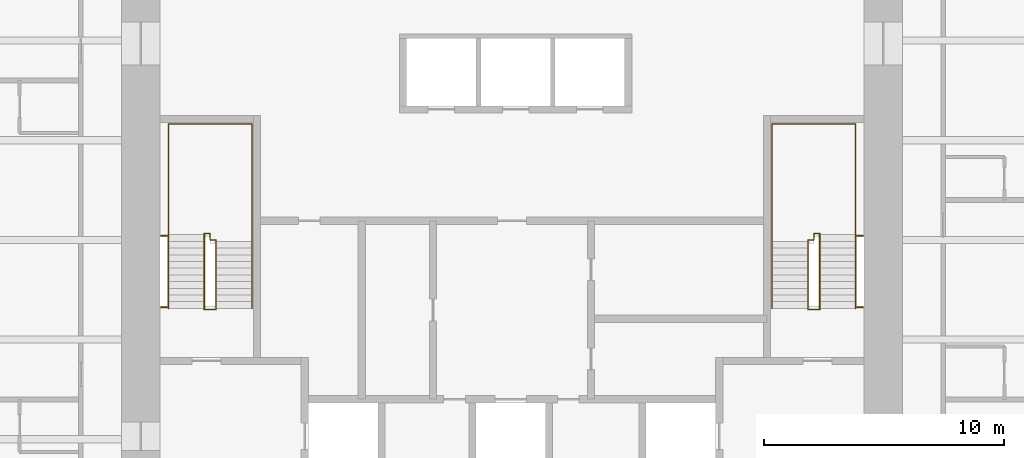
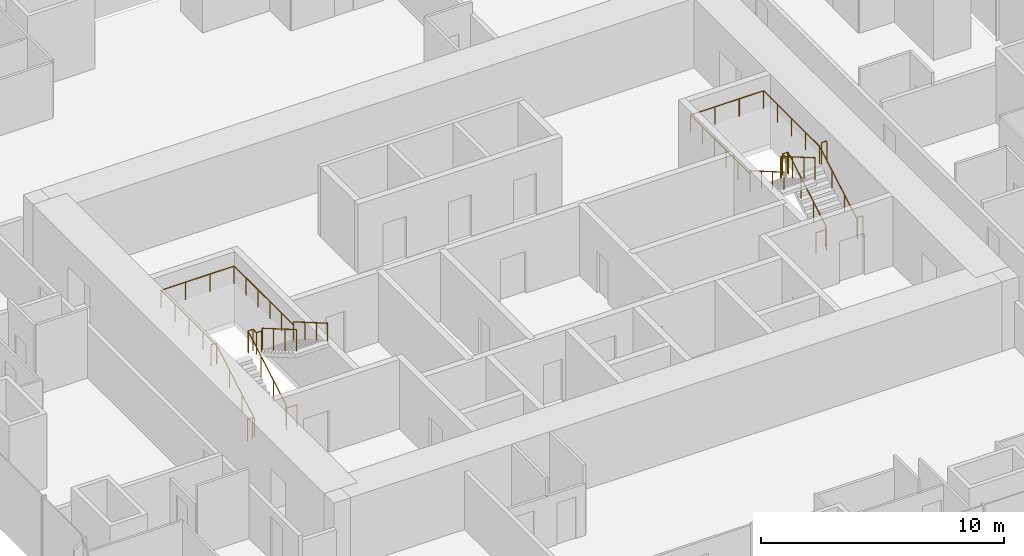
# One storey, part 12 of 12: 8 railings.
"""IFC4 building model written with IfcOpenShell, lengths in metres."""

from ifc_helpers import new_model, si_unit, direction, frame, origin, origin_2d, place, context, subcontext, project, spatial, circle, extrude, material, type_object, element, save


model = new_model("IFC4")

# Units and contexts
model_context = context("Model", 3, precision=1e-05, world=origin(), true_north=direction((0.0, 1.0)))
body_context = subcontext(model_context, "Body", "Model", "MODEL_VIEW")
ifc_project = project(units=[si_unit("LENGTHUNIT", "METRE"), si_unit("AREAUNIT", "SQUARE_METRE"), si_unit("VOLUMEUNIT", "CUBIC_METRE"), si_unit("PLANEANGLEUNIT", "RADIAN"), si_unit("MASSUNIT", "GRAM", prefix="KILO")], contexts=[model_context])

# Site, building, storey
site_placement = place(None, origin())
site = spatial("IfcSite", under=ifc_project, at=site_placement, CompositionType="ELEMENT")
building_placement = place(site_placement, origin())
building = spatial("IfcBuilding", under=site, at=building_placement, Name="Khuree Lantern Residences", CompositionType="ELEMENT")
storey_placement = place(building_placement, frame((0.0, 0.0, 207.0)))
storey = spatial("IfcBuildingStorey", under=building, at=storey_placement, Name="L51", CompositionType="ELEMENT", Elevation=207.0)

# Railings
ifc_material = material(Name="Steel S355", Category="steel")
railing_type_1 = type_object("IfcRailingType", Name="STAIR GUARD G1 1100", PredefinedType="GUARDRAIL", material=ifc_material)
railing_1_placement = place(storey_placement, frame((-12.35009765625, -2.909912109375, 0.0)))
element("IfcRailing", 1, at=railing_1_placement, inside=storey, type_object=railing_type_1, Name="Stair ST1 guard", PredefinedType="GUARDRAIL", context=body_context, shape_type="SweptSolid", body=[
    extrude(circle(Radius=0.02392578125, at=origin_2d()), frame((0.0, 0.0, 1.076171875), z_axis=(-1.0, 0.0, 0.0), x_axis=(0.0, -1.0, 0.0)), (0.0, 0.0, 1.0), 0.5),
    extrude(circle(Radius=0.02392578125, at=origin_2d()), frame((-0.5, 0.0, 1.076171875), z_axis=(0.0, 0.292073035251, 0.95639601739), x_axis=(-1.0, 0.0, 0.0)), (0.0, 0.0, 1.0), 0.17041015625),
    extrude(circle(Radius=0.02392578125, at=origin_2d()), frame((-0.5, 0.0498046875, 1.2392578125), z_axis=(0.0, 0.864176135923, 0.503189433615), x_axis=(-1.0, 0.0, 0.0)), (0.0, 0.0, 1.0), 3.564208984375),
    extrude(circle(Radius=0.02392578125, at=origin_2d()), frame((-0.5, 3.1298828125, 3.03271484375), z_axis=(0.0, 1.0, 0.0), x_axis=(-1.0, 0.0, 0.0)), (0.0, 0.0, 1.0), 0.050048828125),
    extrude(circle(Radius=0.02392578125, at=origin_2d()), frame((-0.5, 3.179931640625, 3.03271484375), z_axis=(1.0, 0.0, 0.0), x_axis=(0.0, 1.0, 0.0)), (0.0, 0.0, 1.0), 0.25),
    extrude(circle(Radius=0.02392578125, at=origin_2d()), frame((-0.25, 3.179931640625, 3.03271484375), z_axis=(0.0, -1.0, 0.0), x_axis=(1.0, 0.0, 0.0)), (0.0, 0.0, 1.0), 0.280029296875),
    extrude(circle(Radius=0.02392578125, at=origin_2d()), frame((-0.25, 2.89990234375, 3.03271484375), z_axis=(1.0, 0.0, 0.0), x_axis=(0.0, 1.0, 0.0)), (0.0, 0.0, 1.0), 0.25),
    extrude(circle(Radius=0.02392578125, at=origin_2d()), frame((0.0, 2.89990234375, 3.03271484375), z_axis=(0.0, -0.293381807449, 0.955995353053), x_axis=(1.0, 0.0, 0.0)), (0.0, 0.0, 1.0), 0.170654296875),
    extrude(circle(Radius=0.02392578125, at=origin_2d()), frame((0.0, 2.849853515625, 3.19580078125), z_axis=(0.0, -0.864180358799, 0.503182181189), x_axis=(1.0, 0.0, 0.0)), (0.0, 0.0, 1.0), 3.240234375),
    extrude(circle(Radius=0.02099609375, at=origin_2d()), origin(), (0.0, 0.0, 1.0), 1.052001953125),
    extrude(circle(Radius=0.02099609375, at=origin_2d()), frame((-0.5, 0.0, 0.0)), (0.0, 0.0, 1.0), 1.052001953125),
    extrude(circle(Radius=0.02099609375, at=origin_2d()), frame((-0.5, 0.0498046875, 0.1630859375)), (0.0, 0.0, 1.0), 1.052001953125),
    extrude(circle(Radius=0.02099609375, at=origin_2d()), frame((-0.5, 1.076416015625, 0.760986328125)), (0.0, 0.0, 1.0), 1.052001953125),
    extrude(circle(Radius=0.02099609375, at=origin_2d()), frame((-0.5, 2.103271484375, 1.358642578125)), (0.0, 0.0, 1.0), 1.052001953125),
    extrude(circle(Radius=0.02099609375, at=origin_2d()), frame((-0.5, 3.1298828125, 1.95654296875)), (0.0, 0.0, 1.0), 1.052001953125),
    extrude(circle(Radius=0.02099609375, at=origin_2d()), frame((-0.5, 3.179931640625, 1.95654296875)), (0.0, 0.0, 1.0), 1.052001953125),
    extrude(circle(Radius=0.02099609375, at=origin_2d()), frame((-0.25, 3.179931640625, 1.95654296875)), (0.0, 0.0, 1.0), 1.052001953125),
    extrude(circle(Radius=0.02099609375, at=origin_2d()), frame((-0.25, 2.89990234375, 1.95654296875)), (0.0, 0.0, 1.0), 1.052001953125),
    extrude(circle(Radius=0.02099609375, at=origin_2d()), frame((0.0, 2.89990234375, 1.95654296875)), (0.0, 0.0, 1.0), 1.052001953125),
    extrude(circle(Radius=0.02099609375, at=origin_2d()), frame((0.0, 2.849853515625, 2.11962890625)), (0.0, 0.0, 1.0), 1.052001953125),
    extrude(circle(Radius=0.02099609375, at=origin_2d()), frame((0.0, 1.91650390625, 2.6630859375)), (0.0, 0.0, 1.0), 1.052001953125),
    extrude(circle(Radius=0.02099609375, at=origin_2d()), frame((0.0, 0.983154296875, 3.20654296875)), (0.0, 0.0, 1.0), 1.052001953125),
    extrude(circle(Radius=0.02099609375, at=origin_2d()), frame((0.0, 0.0498046875, 3.75)), (0.0, 0.0, 1.0), 1.052001953125),
])
for number, where, name in (
    (2, (-14.64990234375, -2.81005859375, 0.0), "Stair ST1 landing slot guard"),
    (3, (-14.64990234375, 0.169921875, 1.95654296875), "Stair ST1 landing slot guard"),
):
    element("IfcRailing", number, at=place(storey_placement, frame(where)), inside=storey, type_object=railing_type_1, Name=name, PredefinedType="GUARDRAIL", context=body_context, shape_type="SweptSolid", body=[
        extrude(circle(Radius=0.02392578125, at=origin_2d()), frame((0.0, 0.0, 1.076171875), z_axis=(1.0, 0.0, 0.0), x_axis=(0.0, 1.0, 0.0)), (0.0, 0.0, 1.0), 0.25),
        extrude(circle(Radius=0.02099609375, at=origin_2d()), origin(), (0.0, 0.0, 1.0), 1.052001953125),
        extrude(circle(Radius=0.02099609375, at=origin_2d()), frame((0.25, 0.0, 0.0)), (0.0, 0.0, 1.0), 1.052001953125),
    ])
railing_2_placement = place(storey_placement, frame((12.35009765625, -2.909912109375, 0.0)))
element("IfcRailing", 4, at=railing_2_placement, inside=storey, type_object=railing_type_1, Name="Stair ST2 guard", PredefinedType="GUARDRAIL", context=body_context, shape_type="SweptSolid", body=[
    extrude(circle(Radius=0.02392578125, at=origin_2d()), frame((0.0, 0.0, 1.076171875), z_axis=(1.0, 0.0, 0.0), x_axis=(0.0, 1.0, 0.0)), (0.0, 0.0, 1.0), 0.5),
    extrude(circle(Radius=0.02392578125, at=origin_2d()), frame((0.5, 0.0, 1.076171875), z_axis=(0.0, 0.292073035251, 0.95639601739), x_axis=(-1.0, 0.0, 0.0)), (0.0, 0.0, 1.0), 0.17041015625),
    extrude(circle(Radius=0.02392578125, at=origin_2d()), frame((0.5, 0.0498046875, 1.2392578125), z_axis=(0.0, 0.864176135923, 0.503189433615), x_axis=(-1.0, 0.0, 0.0)), (0.0, 0.0, 1.0), 3.564208984375),
    extrude(circle(Radius=0.02392578125, at=origin_2d()), frame((0.5, 3.1298828125, 3.03271484375), z_axis=(0.0, 1.0, 0.0), x_axis=(-1.0, 0.0, 0.0)), (0.0, 0.0, 1.0), 0.050048828125),
    extrude(circle(Radius=0.02392578125, at=origin_2d()), frame((0.5, 3.179931640625, 3.03271484375), z_axis=(-1.0, 0.0, 0.0), x_axis=(0.0, -1.0, 0.0)), (0.0, 0.0, 1.0), 0.25),
    extrude(circle(Radius=0.02392578125, at=origin_2d()), frame((0.25, 3.179931640625, 3.03271484375), z_axis=(0.0, -1.0, 0.0), x_axis=(1.0, 0.0, 0.0)), (0.0, 0.0, 1.0), 0.280029296875),
    extrude(circle(Radius=0.02392578125, at=origin_2d()), frame((0.25, 2.89990234375, 3.03271484375), z_axis=(-1.0, 0.0, 0.0), x_axis=(0.0, -1.0, 0.0)), (0.0, 0.0, 1.0), 0.25),
    extrude(circle(Radius=0.02392578125, at=origin_2d()), frame((0.0, 2.89990234375, 3.03271484375), z_axis=(0.0, -0.293381807449, 0.955995353053), x_axis=(1.0, 0.0, 0.0)), (0.0, 0.0, 1.0), 0.170654296875),
    extrude(circle(Radius=0.02392578125, at=origin_2d()), frame((0.0, 2.849853515625, 3.19580078125), z_axis=(0.0, -0.864180358799, 0.503182181189), x_axis=(1.0, 0.0, 0.0)), (0.0, 0.0, 1.0), 3.240234375),
    extrude(circle(Radius=0.02099609375, at=origin_2d()), origin(), (0.0, 0.0, 1.0), 1.052001953125),
    extrude(circle(Radius=0.02099609375, at=origin_2d()), frame((0.5, 0.0, 0.0)), (0.0, 0.0, 1.0), 1.052001953125),
    extrude(circle(Radius=0.02099609375, at=origin_2d()), frame((0.5, 0.0498046875, 0.1630859375)), (0.0, 0.0, 1.0), 1.052001953125),
    extrude(circle(Radius=0.02099609375, at=origin_2d()), frame((0.5, 1.076416015625, 0.760986328125)), (0.0, 0.0, 1.0), 1.052001953125),
    extrude(circle(Radius=0.02099609375, at=origin_2d()), frame((0.5, 2.103271484375, 1.358642578125)), (0.0, 0.0, 1.0), 1.052001953125),
    extrude(circle(Radius=0.02099609375, at=origin_2d()), frame((0.5, 3.1298828125, 1.95654296875)), (0.0, 0.0, 1.0), 1.052001953125),
    extrude(circle(Radius=0.02099609375, at=origin_2d()), frame((0.5, 3.179931640625, 1.95654296875)), (0.0, 0.0, 1.0), 1.052001953125),
    extrude(circle(Radius=0.02099609375, at=origin_2d()), frame((0.25, 3.179931640625, 1.95654296875)), (0.0, 0.0, 1.0), 1.052001953125),
    extrude(circle(Radius=0.02099609375, at=origin_2d()), frame((0.25, 2.89990234375, 1.95654296875)), (0.0, 0.0, 1.0), 1.052001953125),
    extrude(circle(Radius=0.02099609375, at=origin_2d()), frame((0.0, 2.89990234375, 1.95654296875)), (0.0, 0.0, 1.0), 1.052001953125),
    extrude(circle(Radius=0.02099609375, at=origin_2d()), frame((0.0, 2.849853515625, 2.11962890625)), (0.0, 0.0, 1.0), 1.052001953125),
    extrude(circle(Radius=0.02099609375, at=origin_2d()), frame((0.0, 1.91650390625, 2.6630859375)), (0.0, 0.0, 1.0), 1.052001953125),
    extrude(circle(Radius=0.02099609375, at=origin_2d()), frame((0.0, 0.983154296875, 3.20654296875)), (0.0, 0.0, 1.0), 1.052001953125),
    extrude(circle(Radius=0.02099609375, at=origin_2d()), frame((0.0, 0.0498046875, 3.75)), (0.0, 0.0, 1.0), 1.052001953125),
])
for number, where, name in (
    (5, (14.64990234375, -2.81005859375, 0.0), "Stair ST2 landing slot guard"),
    (6, (14.64990234375, 0.169921875, 1.95654296875), "Stair ST2 landing slot guard"),
):
    element("IfcRailing", number, at=place(storey_placement, frame(where)), inside=storey, type_object=railing_type_1, Name=name, PredefinedType="GUARDRAIL", context=body_context, shape_type="SweptSolid", body=[
        extrude(circle(Radius=0.02392578125, at=origin_2d()), frame((0.0, 0.0, 1.076171875), z_axis=(-1.0, 0.0, 0.0), x_axis=(0.0, -1.0, 0.0)), (0.0, 0.0, 1.0), 0.25),
        extrude(circle(Radius=0.02099609375, at=origin_2d()), origin(), (0.0, 0.0, 1.0), 1.052001953125),
        extrude(circle(Radius=0.02099609375, at=origin_2d()), frame((-0.25, 0.0, 0.0)), (0.0, 0.0, 1.0), 1.052001953125),
    ])
railing_type_2 = type_object("IfcRailingType", Name="STAIR HANDRAIL H1 900", PredefinedType="HANDRAIL", material=ifc_material)
railing_3_placement = place(storey_placement, frame((-14.340087890625, -2.860107421875, 0.1630859375)))
element("IfcRailing", 7, at=railing_3_placement, inside=storey, type_object=railing_type_2, Name="Stair ST1 handrail", PredefinedType="HANDRAIL", context=body_context, shape_type="SweptSolid", body=[
    extrude(circle(Radius=0.02392578125, at=origin_2d()), frame((0.0, 0.0, 0.8759765625), z_axis=(0.0, 0.864176135923, 0.503189433615), x_axis=(-1.0, 0.0, 0.0)), (0.0, 0.0, 1.0), 3.564208984375),
    extrude(circle(Radius=0.02392578125, at=origin_2d()), frame((0.0, 3.080078125, 2.66943359375), z_axis=(0.0, 1.0, 0.0), x_axis=(-1.0, 0.0, 0.0)), (0.0, 0.0, 1.0), 4.6201171875),
    extrude(circle(Radius=0.02392578125, at=origin_2d()), frame((0.0, 7.7001953125, 2.66943359375), z_axis=(1.0, 0.0, 0.0), x_axis=(0.0, 1.0, 0.0)), (0.0, 0.0, 1.0), 3.47998046875),
    extrude(circle(Radius=0.02392578125, at=origin_2d()), frame((3.47998046875, 7.7001953125, 2.66943359375), z_axis=(0.0, -1.0, 0.0), x_axis=(1.0, 0.0, 0.0)), (0.0, 0.0, 1.0), 4.900146484375),
    extrude(circle(Radius=0.02392578125, at=origin_2d()), frame((3.47998046875, 2.800048828125, 2.66943359375), z_axis=(0.0, 0.0, 1.0), x_axis=(1.0, 0.0, 0.0)), (0.0, 0.0, 1.0), 0.1630859375),
    extrude(circle(Radius=0.02392578125, at=origin_2d()), frame((3.47998046875, 2.800048828125, 2.83251953125), z_axis=(0.0, -0.864180358799, 0.503182181189), x_axis=(1.0, 0.0, 0.0)), (0.0, 0.0, 1.0), 3.240234375),
    extrude(circle(Radius=0.02099609375, at=origin_2d()), origin(), (0.0, 0.0, 1.0), 0.851806640625),
    extrude(circle(Radius=0.02099609375, at=origin_2d()), frame((0.0, 1.026611328125, 0.597900390625)), (0.0, 0.0, 1.0), 0.851806640625),
    extrude(circle(Radius=0.02099609375, at=origin_2d()), frame((0.0, 2.053466796875, 1.195556640625)), (0.0, 0.0, 1.0), 0.851806640625),
    extrude(circle(Radius=0.02099609375, at=origin_2d()), frame((0.0, 3.080078125, 1.79345703125)), (0.0, 0.0, 1.0), 0.851806640625),
    extrude(circle(Radius=0.02099609375, at=origin_2d()), frame((0.0, 4.235107421875, 1.79345703125)), (0.0, 0.0, 1.0), 0.851806640625),
    extrude(circle(Radius=0.02099609375, at=origin_2d()), frame((0.0, 5.39013671875, 1.79345703125)), (0.0, 0.0, 1.0), 0.851806640625),
    extrude(circle(Radius=0.02099609375, at=origin_2d()), frame((0.0, 6.545166015625, 1.79345703125)), (0.0, 0.0, 1.0), 0.851806640625),
    extrude(circle(Radius=0.02099609375, at=origin_2d()), frame((0.0, 7.7001953125, 1.79345703125)), (0.0, 0.0, 1.0), 0.851806640625),
    extrude(circle(Radius=0.02099609375, at=origin_2d()), frame((1.159912109375, 7.7001953125, 1.79345703125)), (0.0, 0.0, 1.0), 0.851806640625),
    extrude(circle(Radius=0.02099609375, at=origin_2d()), frame((2.320068359375, 7.7001953125, 1.79345703125)), (0.0, 0.0, 1.0), 0.851806640625),
    extrude(circle(Radius=0.02099609375, at=origin_2d()), frame((3.47998046875, 7.7001953125, 1.79345703125)), (0.0, 0.0, 1.0), 0.851806640625),
    extrude(circle(Radius=0.02099609375, at=origin_2d()), frame((3.47998046875, 6.72021484375, 1.79345703125)), (0.0, 0.0, 1.0), 0.851806640625),
    extrude(circle(Radius=0.02099609375, at=origin_2d()), frame((3.47998046875, 5.740234375, 1.79345703125)), (0.0, 0.0, 1.0), 0.851806640625),
    extrude(circle(Radius=0.02099609375, at=origin_2d()), frame((3.47998046875, 4.760009765625, 1.79345703125)), (0.0, 0.0, 1.0), 0.851806640625),
    extrude(circle(Radius=0.02099609375, at=origin_2d()), frame((3.47998046875, 3.780029296875, 1.79345703125)), (0.0, 0.0, 1.0), 0.851806640625),
    extrude(circle(Radius=0.02099609375, at=origin_2d()), frame((3.47998046875, 2.800048828125, 1.79345703125)), (0.0, 0.0, 1.0), 0.851806640625),
    extrude(circle(Radius=0.02099609375, at=origin_2d()), frame((3.47998046875, 2.800048828125, 1.95654296875)), (0.0, 0.0, 1.0), 0.851806640625),
    extrude(circle(Radius=0.02099609375, at=origin_2d()), frame((3.47998046875, 1.86669921875, 2.5)), (0.0, 0.0, 1.0), 0.851806640625),
    extrude(circle(Radius=0.02099609375, at=origin_2d()), frame((3.47998046875, 0.933349609375, 3.04345703125)), (0.0, 0.0, 1.0), 0.851806640625),
    extrude(circle(Radius=0.02099609375, at=origin_2d()), frame((3.47998046875, 0.0, 3.5869140625)), (0.0, 0.0, 1.0), 0.851806640625),
])
railing_4_placement = place(storey_placement, frame((14.340087890625, -2.860107421875, 0.1630859375)))
element("IfcRailing", 8, at=railing_4_placement, inside=storey, type_object=railing_type_2, Name="Stair ST2 handrail", PredefinedType="HANDRAIL", context=body_context, shape_type="SweptSolid", body=[
    extrude(circle(Radius=0.02392578125, at=origin_2d()), frame((0.0, 0.0, 0.8759765625), z_axis=(0.0, 0.864176135923, 0.503189433615), x_axis=(-1.0, 0.0, 0.0)), (0.0, 0.0, 1.0), 3.564208984375),
    extrude(circle(Radius=0.02392578125, at=origin_2d()), frame((0.0, 3.080078125, 2.66943359375), z_axis=(0.0, 1.0, 0.0), x_axis=(-1.0, 0.0, 0.0)), (0.0, 0.0, 1.0), 4.6201171875),
    extrude(circle(Radius=0.02392578125, at=origin_2d()), frame((0.0, 7.7001953125, 2.66943359375), z_axis=(-1.0, 0.0, 0.0), x_axis=(0.0, -1.0, 0.0)), (0.0, 0.0, 1.0), 3.47998046875),
    extrude(circle(Radius=0.02392578125, at=origin_2d()), frame((-3.47998046875, 7.7001953125, 2.66943359375), z_axis=(0.0, -1.0, 0.0), x_axis=(1.0, 0.0, 0.0)), (0.0, 0.0, 1.0), 4.900146484375),
    extrude(circle(Radius=0.02392578125, at=origin_2d()), frame((-3.47998046875, 2.800048828125, 2.66943359375), z_axis=(0.0, 0.0, 1.0), x_axis=(1.0, 0.0, 0.0)), (0.0, 0.0, 1.0), 0.1630859375),
    extrude(circle(Radius=0.02392578125, at=origin_2d()), frame((-3.47998046875, 2.800048828125, 2.83251953125), z_axis=(0.0, -0.864180358799, 0.503182181189), x_axis=(1.0, 0.0, 0.0)), (0.0, 0.0, 1.0), 3.240234375),
    extrude(circle(Radius=0.02099609375, at=origin_2d()), origin(), (0.0, 0.0, 1.0), 0.851806640625),
    extrude(circle(Radius=0.02099609375, at=origin_2d()), frame((0.0, 1.026611328125, 0.597900390625)), (0.0, 0.0, 1.0), 0.851806640625),
    extrude(circle(Radius=0.02099609375, at=origin_2d()), frame((0.0, 2.053466796875, 1.195556640625)), (0.0, 0.0, 1.0), 0.851806640625),
    extrude(circle(Radius=0.02099609375, at=origin_2d()), frame((0.0, 3.080078125, 1.79345703125)), (0.0, 0.0, 1.0), 0.851806640625),
    extrude(circle(Radius=0.02099609375, at=origin_2d()), frame((0.0, 4.235107421875, 1.79345703125)), (0.0, 0.0, 1.0), 0.851806640625),
    extrude(circle(Radius=0.02099609375, at=origin_2d()), frame((0.0, 5.39013671875, 1.79345703125)), (0.0, 0.0, 1.0), 0.851806640625),
    extrude(circle(Radius=0.02099609375, at=origin_2d()), frame((0.0, 6.545166015625, 1.79345703125)), (0.0, 0.0, 1.0), 0.851806640625),
    extrude(circle(Radius=0.02099609375, at=origin_2d()), frame((0.0, 7.7001953125, 1.79345703125)), (0.0, 0.0, 1.0), 0.851806640625),
    extrude(circle(Radius=0.02099609375, at=origin_2d()), frame((-1.159912109375, 7.7001953125, 1.79345703125)), (0.0, 0.0, 1.0), 0.851806640625),
    extrude(circle(Radius=0.02099609375, at=origin_2d()), frame((-2.320068359375, 7.7001953125, 1.79345703125)), (0.0, 0.0, 1.0), 0.851806640625),
    extrude(circle(Radius=0.02099609375, at=origin_2d()), frame((-3.47998046875, 7.7001953125, 1.79345703125)), (0.0, 0.0, 1.0), 0.851806640625),
    extrude(circle(Radius=0.02099609375, at=origin_2d()), frame((-3.47998046875, 6.72021484375, 1.79345703125)), (0.0, 0.0, 1.0), 0.851806640625),
    extrude(circle(Radius=0.02099609375, at=origin_2d()), frame((-3.47998046875, 5.740234375, 1.79345703125)), (0.0, 0.0, 1.0), 0.851806640625),
    extrude(circle(Radius=0.02099609375, at=origin_2d()), frame((-3.47998046875, 4.760009765625, 1.79345703125)), (0.0, 0.0, 1.0), 0.851806640625),
    extrude(circle(Radius=0.02099609375, at=origin_2d()), frame((-3.47998046875, 3.780029296875, 1.79345703125)), (0.0, 0.0, 1.0), 0.851806640625),
    extrude(circle(Radius=0.02099609375, at=origin_2d()), frame((-3.47998046875, 2.800048828125, 1.79345703125)), (0.0, 0.0, 1.0), 0.851806640625),
    extrude(circle(Radius=0.02099609375, at=origin_2d()), frame((-3.47998046875, 2.800048828125, 1.95654296875)), (0.0, 0.0, 1.0), 0.851806640625),
    extrude(circle(Radius=0.02099609375, at=origin_2d()), frame((-3.47998046875, 1.86669921875, 2.5)), (0.0, 0.0, 1.0), 0.851806640625),
    extrude(circle(Radius=0.02099609375, at=origin_2d()), frame((-3.47998046875, 0.933349609375, 3.04345703125)), (0.0, 0.0, 1.0), 0.851806640625),
    extrude(circle(Radius=0.02099609375, at=origin_2d()), frame((-3.47998046875, 0.0, 3.5869140625)), (0.0, 0.0, 1.0), 0.851806640625),
])

save(model, "model.ifc")
